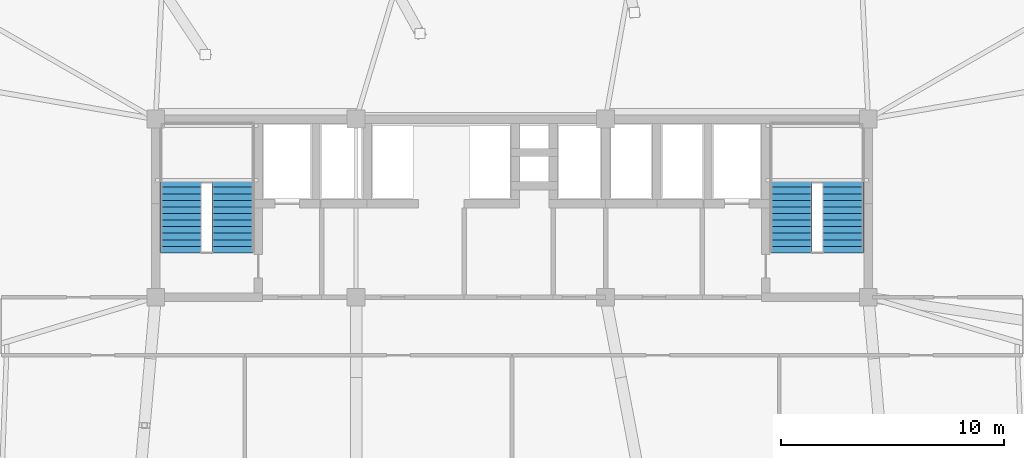
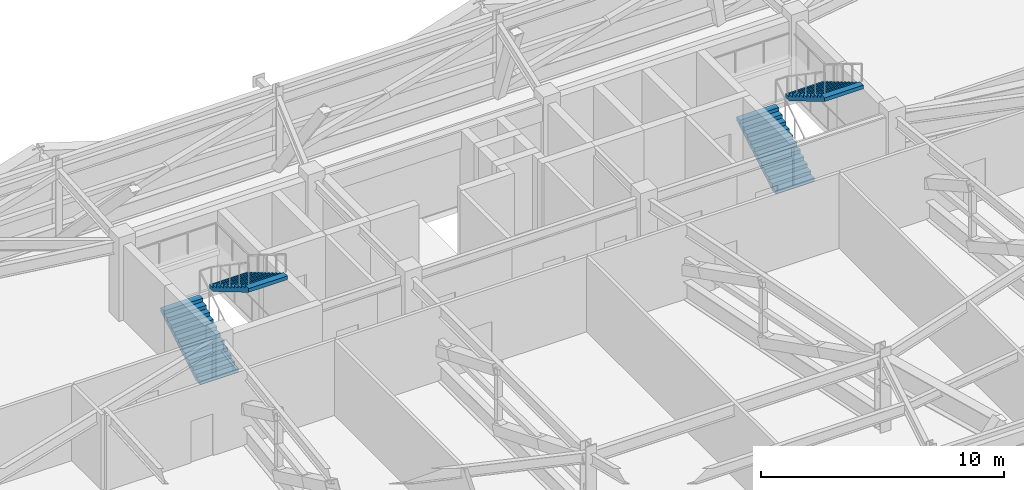
# One storey, part 23 of 24: 4 stair flights, 2 elements without a shape of their own.
"""IFC4 building model written with IfcOpenShell, lengths in metres."""

from ifc_helpers import new_model, si_unit, direction, frame, origin, place, context, subcontext, project, spatial, polyline, outline, extrude, material, type_object, element, aggregate, save


model = new_model("IFC4")

# Units and contexts
model_context = context("Model", 3, precision=1e-05, world=origin(), true_north=direction((0.0, 1.0)))
body_context = subcontext(model_context, "Body", "Model", "MODEL_VIEW")
ifc_project = project(units=[si_unit("LENGTHUNIT", "METRE"), si_unit("AREAUNIT", "SQUARE_METRE"), si_unit("VOLUMEUNIT", "CUBIC_METRE"), si_unit("PLANEANGLEUNIT", "RADIAN"), si_unit("MASSUNIT", "GRAM", prefix="KILO")], contexts=[model_context])

# Site, building, storey
site_placement = place(None, origin())
site = spatial("IfcSite", under=ifc_project, at=site_placement, CompositionType="ELEMENT")
building_placement = place(site_placement, origin())
building = spatial("IfcBuilding", under=site, at=building_placement, Name="Taldren Reach Tower", CompositionType="ELEMENT")
storey_placement = place(building_placement, frame((0.0, 0.0, 60.89990234375)))
storey = spatial("IfcBuildingStorey", under=building, at=storey_placement, Name="L18", CompositionType="ELEMENT", Elevation=60.89990234375)

# Stair, stair flights
ifc_material = material(Name="Concrete S50 (50 MPa)", Category="concrete")
stair_type = type_object("IfcStairType", Name="ST-HT-420", PredefinedType="HALF_TURN_STAIR", material=ifc_material)
stair_1_placement = place(storey_placement, origin())
stair_1 = element("IfcStair", 1, at=stair_1_placement, inside=storey, type_object=stair_type, Name="Fire-isolated exit stair ST1 L18", PredefinedType="HALF_TURN_STAIR")
stair_flight_type = type_object("IfcStairFlightType", Name="SF-STR-420", PredefinedType="STRAIGHT", material=ifc_material)
stair_flight_1_placement = place(storey_placement, frame((20.139892578125, 25.989990234375, 0.0), z_axis=(0.0, 0.0, 1.0), x_axis=(0.0, 1.0, 0.0)))
stair_flight_1 = element("IfcStairFlight", 2, at=stair_flight_1_placement, type_object=stair_flight_type, Name="ST1 flight 1", NumberOfRisers=12, NumberOfTreads=11, PredefinedType="STRAIGHT", RiserHeight=0.175, TreadLength=0.295, context=body_context, shape_type="SweptSolid", body=[
    extrude(outline(polyline([(0.0, 0.0), (0.0, 0.175048828125), (0.294921875, 0.175048828125), (0.294921875, 0.35009765625), (0.590087890625, 0.35009765625), (0.590087890625, 0.52490234375), (0.885009765625, 0.52490234375), (0.885009765625, 0.699951171875), (1.179931640625, 0.699951171875), (1.179931640625, 0.875), (1.47509765625, 0.875), (1.47509765625, 1.050048828125), (1.77001953125, 1.050048828125), (1.77001953125, 1.22509765625), (2.06494140625, 1.22509765625), (2.06494140625, 1.39990234375), (2.360107421875, 1.39990234375), (2.360107421875, 1.574951171875), (2.655029296875, 1.574951171875), (2.655029296875, 1.75), (2.949951171875, 1.75), (2.949951171875, 1.925048828125), (3.2451171875, 1.925048828125), (3.2451171875, 2.10009765625), (3.2451171875, 1.739013671875), (0.3134765625, 0.0), (0.0, 0.0)])), frame((0.0, 0.919921875, 0.0), z_axis=(0.0, -1.0, 0.0), x_axis=(1.0, 0.0, 0.0)), (0.0, 0.0, 1.0), 1.840087890625),
])
stair_flight_2_placement = place(storey_placement, frame((22.4599609375, 29.235107421875, 2.10009765625), z_axis=(0.0, 0.0, 1.0), x_axis=(0.0, -1.0, 0.0)))
stair_flight_2 = element("IfcStairFlight", 3, at=stair_flight_2_placement, type_object=stair_flight_type, Name="ST1 flight 2", NumberOfRisers=12, NumberOfTreads=11, PredefinedType="STRAIGHT", RiserHeight=0.175, TreadLength=0.295, context=body_context, shape_type="SweptSolid", body=[
    extrude(outline(polyline([(0.0, 0.0), (0.0, 0.175048828125), (0.294921875, 0.175048828125), (0.294921875, 0.35009765625), (0.590087890625, 0.35009765625), (0.590087890625, 0.52490234375), (0.885009765625, 0.52490234375), (0.885009765625, 0.699951171875), (1.179931640625, 0.699951171875), (1.179931640625, 0.875), (1.47509765625, 0.875), (1.47509765625, 1.050048828125), (1.77001953125, 1.050048828125), (1.77001953125, 1.22509765625), (2.06494140625, 1.22509765625), (2.06494140625, 1.39990234375), (2.360107421875, 1.39990234375), (2.360107421875, 1.574951171875), (2.655029296875, 1.574951171875), (2.655029296875, 1.75), (2.949951171875, 1.75), (2.949951171875, 1.925048828125), (3.2451171875, 1.925048828125), (3.2451171875, 2.10009765625), (3.2451171875, 1.739013671875), (0.3134765625, 0.0), (0.0, 0.0)])), frame((0.0, 0.919921875, 0.0), z_axis=(0.0, -1.0, 0.0), x_axis=(1.0, 0.0, 0.0)), (0.0, 0.0, 1.0), 1.840087890625),
])
aggregate(stair_1, [stair_flight_1, stair_flight_2])

stair_2_placement = place(storey_placement, origin())
stair_2 = element("IfcStair", 4, at=stair_2_placement, inside=storey, type_object=stair_type, Name="Fire-isolated exit stair ST2 L18", PredefinedType="HALF_TURN_STAIR")
stair_flight_3_placement = place(storey_placement, frame((47.5400390625, 25.989990234375, 0.0), z_axis=(0.0, 0.0, 1.0), x_axis=(0.0, 1.0, 0.0)))
stair_flight_3 = element("IfcStairFlight", 5, at=stair_flight_3_placement, type_object=stair_flight_type, Name="ST2 flight 1", NumberOfRisers=12, NumberOfTreads=11, PredefinedType="STRAIGHT", RiserHeight=0.175, TreadLength=0.295, context=body_context, shape_type="SweptSolid", body=[
    extrude(outline(polyline([(0.0, 0.0), (0.0, 0.175048828125), (0.294921875, 0.175048828125), (0.294921875, 0.35009765625), (0.590087890625, 0.35009765625), (0.590087890625, 0.52490234375), (0.885009765625, 0.52490234375), (0.885009765625, 0.699951171875), (1.179931640625, 0.699951171875), (1.179931640625, 0.875), (1.47509765625, 0.875), (1.47509765625, 1.050048828125), (1.77001953125, 1.050048828125), (1.77001953125, 1.22509765625), (2.06494140625, 1.22509765625), (2.06494140625, 1.39990234375), (2.360107421875, 1.39990234375), (2.360107421875, 1.574951171875), (2.655029296875, 1.574951171875), (2.655029296875, 1.75), (2.949951171875, 1.75), (2.949951171875, 1.925048828125), (3.2451171875, 1.925048828125), (3.2451171875, 2.10009765625), (3.2451171875, 1.739013671875), (0.3134765625, 0.0), (0.0, 0.0)])), frame((0.0, 0.919921875, 0.0), z_axis=(0.0, -1.0, 0.0), x_axis=(1.0, 0.0, 0.0)), (0.0, 0.0, 1.0), 1.840087890625),
])
stair_flight_4_placement = place(storey_placement, frame((49.860107421875, 29.235107421875, 2.10009765625), z_axis=(0.0, 0.0, 1.0), x_axis=(0.0, -1.0, 0.0)))
stair_flight_4 = element("IfcStairFlight", 6, at=stair_flight_4_placement, type_object=stair_flight_type, Name="ST2 flight 2", NumberOfRisers=12, NumberOfTreads=11, PredefinedType="STRAIGHT", RiserHeight=0.175, TreadLength=0.295, context=body_context, shape_type="SweptSolid", body=[
    extrude(outline(polyline([(0.0, 0.0), (0.0, 0.175048828125), (0.294921875, 0.175048828125), (0.294921875, 0.35009765625), (0.590087890625, 0.35009765625), (0.590087890625, 0.52490234375), (0.885009765625, 0.52490234375), (0.885009765625, 0.699951171875), (1.179931640625, 0.699951171875), (1.179931640625, 0.875), (1.47509765625, 0.875), (1.47509765625, 1.050048828125), (1.77001953125, 1.050048828125), (1.77001953125, 1.22509765625), (2.06494140625, 1.22509765625), (2.06494140625, 1.39990234375), (2.360107421875, 1.39990234375), (2.360107421875, 1.574951171875), (2.655029296875, 1.574951171875), (2.655029296875, 1.75), (2.949951171875, 1.75), (2.949951171875, 1.925048828125), (3.2451171875, 1.925048828125), (3.2451171875, 2.10009765625), (3.2451171875, 1.739013671875), (0.3134765625, 0.0), (0.0, 0.0)])), frame((0.0, 0.919921875, 0.0), z_axis=(0.0, -1.0, 0.0), x_axis=(1.0, 0.0, 0.0)), (0.0, 0.0, 1.0), 1.840087890625),
])
aggregate(stair_2, [stair_flight_3, stair_flight_4])

save(model, "model.ifc")
